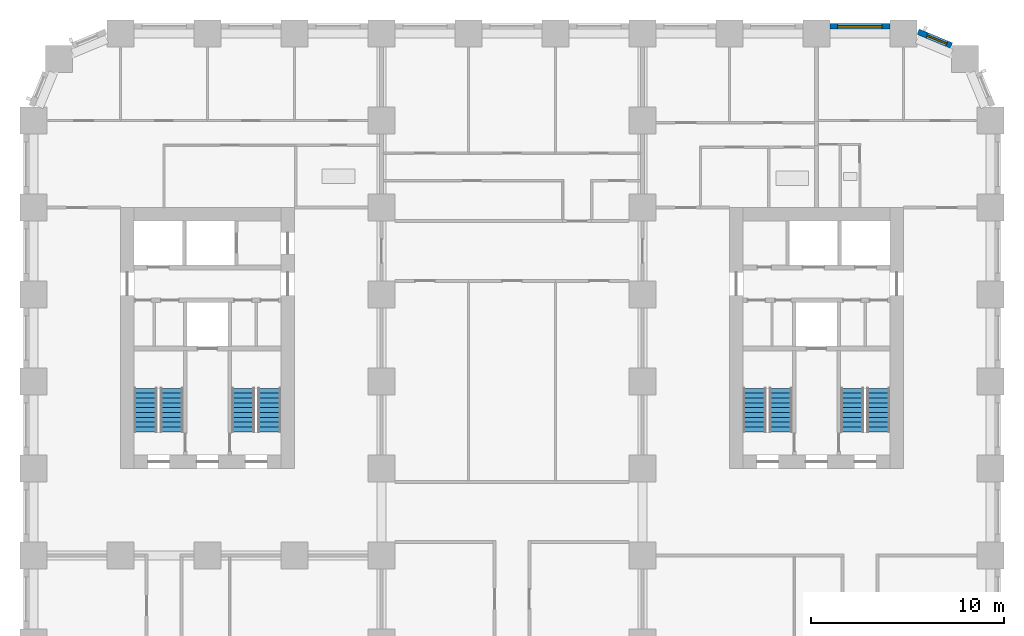
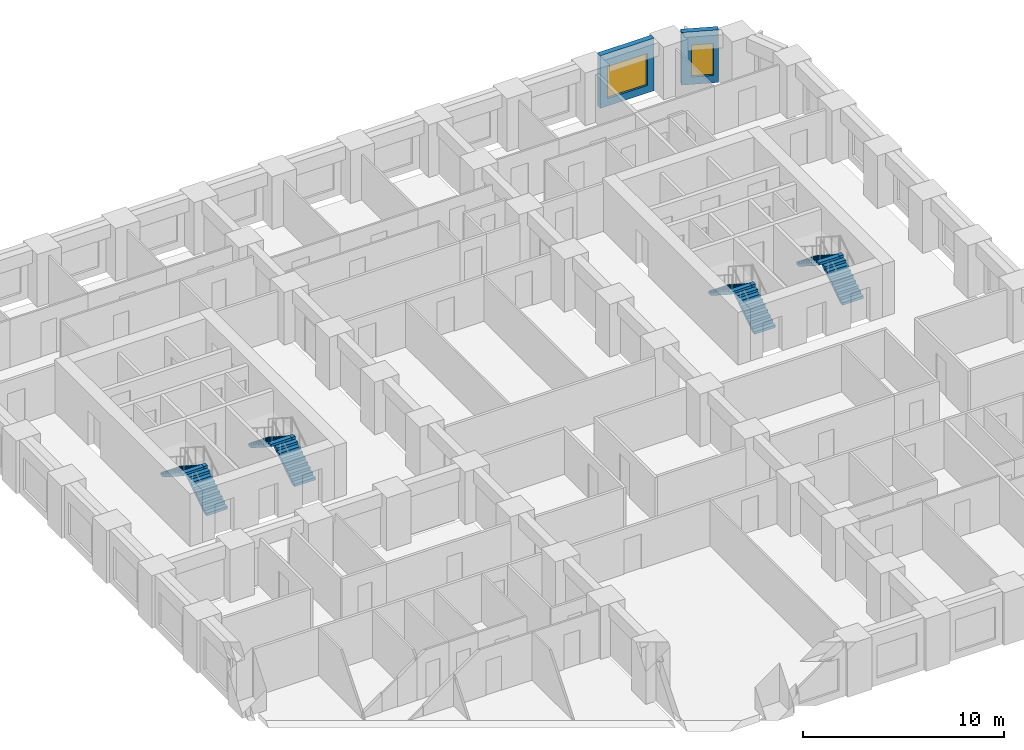
# One storey, part 10 of 13: 8 stair flights, 2 walls, 2 windows, 2 openings, 4 elements without a shape of their own.
"""IFC4 building model written with IfcOpenShell, lengths in metres."""

import ifcopenshell
import ifcopenshell.guid

model = None  # the IFC model being written
_history = None  # IfcOwnerHistory: only IFC2X3 demands one
_inside = {}  # id of a spatial element -> (the spatial element, [elements in it])
_under = {}  # id of a project, library or spatial element -> (it, [spatial elements below it])
_declared = {}  # id of a project -> (the project, [libraries it declares])
_typed = {}  # id of a type object -> (the type object, [elements of that type])
_made_of = {}  # id of a material, layer set ... -> (it, [elements and type objects made of it])


def new_model(schema):
    """Start an empty IFC model of exactly this schema.

    Asked for "IFC4X3", IfcOpenShell would pick the latest addendum, in which some entities
    have other attributes; the version numbers below select the first issue.
    IFC2X3 requires an IfcOwnerHistory on every rooted entity: one is made here for all.
    """
    global model, _history
    if schema == "IFC4X3":
        model = ifcopenshell.file(schema_version=(4, 3, 0, 0))
    else:
        model = ifcopenshell.file(schema=schema)
    _inside.clear()
    _under.clear()
    _declared.clear()
    _typed.clear()
    _made_of.clear()
    _history = None
    if model.schema == "IFC2X3":
        org = make("IfcOrganization", Name="unknown")
        user = make(
            "IfcPersonAndOrganization",
            ThePerson=make("IfcPerson", FamilyName="unknown"),
            TheOrganization=org,
        )
        app = make(
            "IfcApplication",
            ApplicationDeveloper=org,
            Version="unknown",
            ApplicationFullName="unknown",
            ApplicationIdentifier="unknown",
        )
        _history = make(
            "IfcOwnerHistory",
            OwningUser=user,
            OwningApplication=app,
            ChangeAction="ADDED",
            CreationDate=0,
        )
    return model


def make(cls, **values):
    """One entity of the class cls with the attributes given. An attribute that is None is left unset."""
    return model.create_entity(
        cls, **{name: value for name, value in values.items() if value is not None}
    )


def rooted(cls, **values):
    """An entity with a GlobalId (a new one), such as an element, a storey or a relation."""
    return make(cls, GlobalId=ifcopenshell.guid.new(), OwnerHistory=_history, **values)


def si_unit(unit_type, name, prefix=None):
    """IfcSIUnit, for example si_unit("LENGTHUNIT", "METRE", prefix="MILLI")."""
    return make("IfcSIUnit", UnitType=unit_type, Prefix=prefix, Name=name)


def assignment(units):
    """IfcUnitAssignment: the units of a project."""
    return None if units is None else make("IfcUnitAssignment", Units=units)


def point(xyz):
    """IfcCartesianPoint."""
    return None if xyz is None else make("IfcCartesianPoint", Coordinates=xyz)


def direction(xyz):
    """IfcDirection."""
    return None if xyz is None else make("IfcDirection", DirectionRatios=xyz)


def frame(location, z_axis=None, x_axis=None):
    """IfcAxis2Placement3D, a coordinate frame: its origin and axes. An axis left out is left unset."""
    return make(
        "IfcAxis2Placement3D",
        Location=point(location),
        Axis=direction(z_axis),
        RefDirection=direction(x_axis),
    )


def frame_2d(location, x_axis=None):
    """IfcAxis2Placement2D, a coordinate frame in the plane: its origin and x axis."""
    return make(
        "IfcAxis2Placement2D", Location=point(location), RefDirection=direction(x_axis)
    )


def origin():
    """The frame at (0, 0, 0) with its axes left unset."""
    return frame((0.0, 0.0, 0.0))


def place(relative_to, where):
    """IfcLocalPlacement: puts the frame where relative to a parent placement (None: the world)."""
    return make(
        "IfcLocalPlacement", PlacementRelTo=relative_to, RelativePlacement=where
    )


def context(
    kind, dimensions, precision=None, world=None, true_north=None, identifier=None
):
    """IfcGeometricRepresentationContext, for example the 3D "Model" context."""
    return make(
        "IfcGeometricRepresentationContext",
        ContextIdentifier=identifier,
        ContextType=kind,
        CoordinateSpaceDimension=dimensions,
        Precision=precision,
        WorldCoordinateSystem=world,
        TrueNorth=true_north,
    )


def subcontext(parent, identifier, kind, view, scale=None):
    """IfcGeometricRepresentationSubContext, for example "Body" below "Model"."""
    return make(
        "IfcGeometricRepresentationSubContext",
        ContextIdentifier=identifier,
        ContextType=kind,
        ParentContext=parent,
        TargetScale=scale,
        TargetView=view,
    )


def project(units=None, contexts=None):
    """IfcProject with its units and contexts."""
    return rooted(
        "IfcProject",
        Name="project",
        RepresentationContexts=contexts,
        UnitsInContext=assignment(units),
    )


def spatial(cls, under=None, at=None, **own):
    """A site, building, storey or space (cls), placed at a placement, below another one or the project."""
    s = rooted(cls, ObjectPlacement=at, **own)
    if under is not None:
        _under.setdefault(under.id(), (under, []))[1].append(s)
    return s


def polyline(points):
    """IfcPolyline through the points."""
    return make("IfcPolyline", Points=[point(p) for p in points])


def profile(cls, at=None, kind="AREA", **sizes):
    """A parametric profile (cls). Its sizes go by their IFC names, for example OverallWidth=200.0."""
    return make(cls, ProfileType=kind, Position=at, **sizes)


def rectangle(**sizes):
    """IfcRectangleProfileDef."""
    return profile("IfcRectangleProfileDef", **sizes)


def outline(outer, holes=None, kind="AREA"):
    """IfcArbitraryClosedProfileDef: a profile drawn as a closed curve; with holes, ...WithVoids."""
    if holes is None:
        return make("IfcArbitraryClosedProfileDef", ProfileType=kind, OuterCurve=outer)
    return make(
        "IfcArbitraryProfileDefWithVoids",
        ProfileType=kind,
        OuterCurve=outer,
        InnerCurves=holes,
    )


def extrude(swept, where, along, depth):
    """IfcExtrudedAreaSolid: the profile swept, set in the frame where, extruded along a direction by depth."""
    return make(
        "IfcExtrudedAreaSolid",
        SweptArea=swept,
        Position=where,
        ExtrudedDirection=direction(along),
        Depth=depth,
    )


def shape(context_of_items, identifier, shape_type, items):
    """IfcShapeRepresentation: the items that make up one representation, for example the "Body"."""
    return make(
        "IfcShapeRepresentation",
        ContextOfItems=context_of_items,
        RepresentationIdentifier=identifier,
        RepresentationType=shape_type,
        Items=items,
    )


def material(Name=None, Category=None):
    """IfcMaterial."""
    return make("IfcMaterial", Name=Name, Category=Category)


def layer(
    of_material, thickness, ventilated=None, Name=None, Category=None, Priority=None
):
    """IfcMaterialLayer: one layer of a wall or slab, of a material (None: an air gap)."""
    return make(
        "IfcMaterialLayer",
        Material=of_material,
        LayerThickness=thickness,
        IsVentilated=ventilated,
        Name=Name,
        Category=Category,
        Priority=Priority,
    )


def layer_set(layers, Name=None):
    """IfcMaterialLayerSet."""
    return make("IfcMaterialLayerSet", MaterialLayers=layers, LayerSetName=Name)


def made_of(thing, what):
    """Note that an element or type object is made of a material, layer set ...; save() writes the relation."""
    if what is not None:
        _made_of.setdefault(what.id(), (what, []))[1].append(thing)
    return thing


def type_object(cls, material=None, **own):
    """A type object (cls), such as IfcWallType, which elements share."""
    return made_of(rooted(cls, **own), material)


def element(
    cls,
    number,
    at=None,
    inside=None,
    cuts=None,
    type_object=None,
    material=None,
    context=None,
    identifier="Body",
    shape_type=None,
    held_by="IfcProductDefinitionShape",
    body=None,
    shapes=None,
    **own,
):
    """One element of the class cls, such as IfcWall. Its Tag is "e" and its number.

    at: its placement. inside: the storey or other place that contains it. cuts: it is an
    opening in that element (IfcRelVoidsElement). A single representation is given by context,
    identifier, shape_type and body (its items); several are given by shapes. held_by: the class
    of the entity that holds the representations. save() writes the other relations.
    """
    e = rooted(cls, Tag="e%d" % number, ObjectPlacement=at, **own)
    if body is not None:
        shapes = [shape(context, identifier, shape_type, body)]
    if shapes is not None:
        e.Representation = make(held_by, Representations=shapes)
    if inside is not None:
        _inside.setdefault(inside.id(), (inside, []))[1].append(e)
    if cuts is not None:
        rooted(
            "IfcRelVoidsElement", RelatingBuildingElement=cuts, RelatedOpeningElement=e
        )
    if type_object is not None:
        _typed.setdefault(type_object.id(), (type_object, []))[1].append(e)
    return made_of(e, material)


def fill(opening, filler):
    """IfcRelFillsElement: the door or window that sits in an opening."""
    return rooted(
        "IfcRelFillsElement",
        RelatingOpeningElement=opening,
        RelatedBuildingElement=filler,
    )


def aggregate(whole, parts):
    """IfcRelAggregates: a whole, such as a stair, and the parts it consists of."""
    return rooted("IfcRelAggregates", RelatingObject=whole, RelatedObjects=parts)


def save(model, path):
    """Write the relations noted so far, then the file.

    IfcRelAggregates (storeys below a building ...), IfcRelContainedInSpatialStructure (elements
    in a storey), IfcRelDefinesByType, IfcRelAssociatesMaterial and IfcRelDeclares: one each for
    every whole, place, type object, material and project.
    """
    for whole, parts in _under.values():
        aggregate(whole, parts)
    for where, things in _inside.values():
        rooted(
            "IfcRelContainedInSpatialStructure",
            RelatedElements=things,
            RelatingStructure=where,
        )
    for kind, things in _typed.values():
        rooted("IfcRelDefinesByType", RelatedObjects=things, RelatingType=kind)
    for what, things in _made_of.values():
        rooted("IfcRelAssociatesMaterial", RelatedObjects=things, RelatingMaterial=what)
    for by, libraries in _declared.values():
        rooted("IfcRelDeclares", RelatingContext=by, RelatedDefinitions=libraries)
    model.write(path)


model = new_model("IFC4")

# Units and contexts
model_context = context("Model", 3, precision=1e-05, world=origin(), true_north=direction((0.0, 1.0)))
body_context = subcontext(model_context, "Body", "Model", "MODEL_VIEW")
ifc_project = project(units=[si_unit("LENGTHUNIT", "METRE"), si_unit("AREAUNIT", "SQUARE_METRE"), si_unit("VOLUMEUNIT", "CUBIC_METRE"), si_unit("PLANEANGLEUNIT", "RADIAN"), si_unit("MASSUNIT", "GRAM", prefix="KILO")], contexts=[model_context])

# Site, building, storey
site_placement = place(None, origin())
site = spatial("IfcSite", under=ifc_project, at=site_placement, CompositionType="ELEMENT")
building_placement = place(site_placement, origin())
building = spatial("IfcBuilding", under=site, at=building_placement, Name="Girih Gate Residences", CompositionType="ELEMENT")
storey_placement = place(building_placement, frame((0.0, 0.0, 40.0)))
storey = spatial("IfcBuildingStorey", under=building, at=storey_placement, Name="L09", CompositionType="ELEMENT", Elevation=40.0)

# Wall, opening, window
ifc_material_1 = material(Name="Precast concrete C50/60", Category="concrete")
ifc_layer_1 = layer(ifc_material_1, 0.080078125, Name="Outer leaf")
ifc_material_2 = material(Name="Rigid PIR insulation")
ifc_layer_2 = layer(ifc_material_2, 0.14990234375, Name="Insulation")
ifc_material_3 = material(Name="Precast concrete C40/50", Category="concrete")
ifc_layer_3 = layer(ifc_material_3, 0.070068359375, Name="Inner leaf")
ifc_layer_set = layer_set([ifc_layer_1, ifc_layer_2, ifc_layer_3], Name="Precast concrete C50/60 external wall 300")
wall_type = type_object("IfcWallType", Name="Precast concrete C50/60 external wall 300", PredefinedType="SOLIDWALL", material=ifc_layer_set)
wall_1_placement = place(storey_placement, frame((45.75732421875, 49.59228515625, 0.0), z_axis=(0.0, 0.0, 1.0), x_axis=(0.923857286003, -0.382737135771, 0.0)))
wall_1 = element("IfcWall", 1, at=wall_1_placement, inside=storey, type_object=wall_type, Name="External wall NE0482_0482.0", PredefinedType="SOLIDWALL", context=body_context, shape_type="SweptSolid", body=[
    extrude(rectangle(XDim=1.865234375, YDim=0.300048828125, at=frame_2d((0.9326171875, 0.0))), origin(), (0.0, 0.0, 1.0), 3.199951171875),
])
opening_1_placement = place(wall_1_placement, frame((0.507568359375, 0.0, 0.449951171875)))
opening_1 = element("IfcOpeningElement", 2, at=opening_1_placement, cuts=wall_1, Name="Opening W-2C", PredefinedType="OPENING", context=body_context, shape_type="SweptSolid", body=[
    extrude(rectangle(XDim=1.10009765625, YDim=1.949951171875, at=frame_2d((0.550048828125, 0.97509765625))), frame((0.0, 0.159912109375, 0.0), z_axis=(0.0, -1.0, 0.0), x_axis=(1.0, 0.0, 0.0)), (0.0, 0.0, 1.0), 0.320068359375),
])
ifc_material_4 = material(Name="Double glazing in aluminium frame", Category="aluminium")
window_type_1 = type_object("IfcWindowType", Name="Window W-2C 1100x1950", PartitioningType="SINGLE_PANEL", PredefinedType="WINDOW", material=ifc_material_4)
window_1_placement = place(opening_1_placement, origin())
window_1 = element("IfcWindow", 3, at=window_1_placement, inside=storey, type_object=window_type_1, Name="Window W-2C NE0482_0482.0", OverallHeight=1.949951171875, OverallWidth=1.10009765625, PartitioningType="SINGLE_PANEL", PredefinedType="WINDOW", context=body_context, shape_type="SweptSolid", body=[
    extrude(rectangle(XDim=1.10009765625, YDim=1.949951171875, at=frame_2d((0.550048828125, 0.97509765625))), frame((0.0, 0.030029296875, 0.0), z_axis=(0.0, -1.0, 0.0), x_axis=(1.0, 0.0, 0.0)), (0.0, 0.0, 1.0), 0.06005859375),
])
fill(opening_1, window_1)

wall_2_placement = place(storey_placement, frame((41.199951171875, 49.875, 0.0), z_axis=(0.0, 0.0, 1.0), x_axis=(1.0, 0.0, 0.0)))
wall_2 = element("IfcWall", 4, at=wall_2_placement, inside=storey, type_object=wall_type, Name="External wall N0450_0495.0", PredefinedType="SOLIDWALL", context=body_context, shape_type="SweptSolid", body=[
    extrude(rectangle(XDim=3.10009765625, YDim=0.300048828125, at=frame_2d((1.550048828125, 0.0))), origin(), (0.0, 0.0, 1.0), 3.199951171875),
])
opening_2_placement = place(wall_2_placement, frame((0.39990234375, 0.0, 0.449951171875)))
opening_2 = element("IfcOpeningElement", 5, at=opening_2_placement, cuts=wall_2, Name="Opening W-1", PredefinedType="OPENING", context=body_context, shape_type="SweptSolid", body=[
    extrude(rectangle(XDim=2.300048828125, YDim=1.949951171875, at=frame_2d((1.14990234375, 0.97509765625))), frame((0.0, 0.159912109375, 0.0), z_axis=(0.0, -1.0, 0.0), x_axis=(1.0, 0.0, 0.0)), (0.0, 0.0, 1.0), 0.320068359375),
])
window_type_2 = type_object("IfcWindowType", Name="Window W-1 2300x1950", PartitioningType="SINGLE_PANEL", PredefinedType="WINDOW", material=ifc_material_4)
window_2_placement = place(opening_2_placement, origin())
window_2 = element("IfcWindow", 6, at=window_2_placement, inside=storey, type_object=window_type_2, Name="Window W-1 N0450_0495.0", OverallHeight=1.949951171875, OverallWidth=2.300048828125, PartitioningType="SINGLE_PANEL", PredefinedType="WINDOW", context=body_context, shape_type="SweptSolid", body=[
    extrude(rectangle(XDim=2.300048828125, YDim=1.949951171875, at=frame_2d((1.14990234375, 0.97509765625))), frame((0.0, 0.030029296875, 0.0), z_axis=(0.0, -1.0, 0.0), x_axis=(1.0, 0.0, 0.0)), (0.0, 0.0, 1.0), 0.06005859375),
])
fill(opening_2, window_2)

# Stair, stair flights
ifc_material_5 = material(Name="Concrete C40/50", Category="concrete")
stair_type = type_object("IfcStairType", Name="Exit stair", PredefinedType="HALF_TURN_STAIR", material=ifc_material_5)
stair_1_placement = place(storey_placement, origin())
stair_1 = element("IfcStair", 7, at=stair_1_placement, inside=storey, type_object=stair_type, Name="L09 Exit Stair ST-W1", PredefinedType="HALF_TURN_STAIR")
stair_flight_type = type_object("IfcStairFlightType", Name="Stair flight 1200", PredefinedType="STRAIGHT", material=ifc_material_5)
stair_flight_1_placement = place(storey_placement, frame((7.14990234375, 28.89990234375, 0.0), z_axis=(0.0, 0.0, 1.0), x_axis=(0.0, 1.0, 0.0)))
stair_flight_1 = element("IfcStairFlight", 8, at=stair_flight_1_placement, type_object=stair_flight_type, Name="ST-W1 flight 1", NumberOfRisers=10, NumberOfTreads=9, PredefinedType="STRAIGHT", RiserHeight=0.16, TreadLength=0.25, context=body_context, shape_type="SweptSolid", body=[
    extrude(outline(polyline([(0.0, 0.0), (0.0, 0.159912109375), (0.25, 0.159912109375), (0.25, 0.320068359375), (0.5, 0.320068359375), (0.5, 0.47998046875), (0.75, 0.47998046875), (0.75, 0.639892578125), (1.0, 0.639892578125), (1.0, 0.800048828125), (1.25, 0.800048828125), (1.25, 0.9599609375), (1.5, 0.9599609375), (1.5, 1.1201171875), (1.75, 1.1201171875), (1.75, 1.280029296875), (2.0, 1.280029296875), (2.0, 1.43994140625), (2.25, 1.43994140625), (2.25, 1.60009765625), (2.25, 1.29736328125), (0.222900390625, 0.0), (0.0, 0.0)])), frame((0.0, 0.60009765625, 0.0), z_axis=(0.0, -1.0, 0.0), x_axis=(1.0, 0.0, 0.0)), (0.0, 0.0, 1.0), 1.199951171875),
])
stair_flight_2_placement = place(storey_placement, frame((5.800048828125, 31.14990234375, 1.60009765625), z_axis=(0.0, 0.0, 1.0), x_axis=(0.0, -1.0, 0.0)))
stair_flight_2 = element("IfcStairFlight", 9, at=stair_flight_2_placement, type_object=stair_flight_type, Name="ST-W1 flight 2", NumberOfRisers=10, NumberOfTreads=9, PredefinedType="STRAIGHT", RiserHeight=0.16, TreadLength=0.25, context=body_context, shape_type="SweptSolid", body=[
    extrude(outline(polyline([(0.0, 0.0), (0.0, 0.159912109375), (0.25, 0.159912109375), (0.25, 0.320068359375), (0.5, 0.320068359375), (0.5, 0.47998046875), (0.75, 0.47998046875), (0.75, 0.639892578125), (1.0, 0.639892578125), (1.0, 0.800048828125), (1.25, 0.800048828125), (1.25, 0.9599609375), (1.5, 0.9599609375), (1.5, 1.1201171875), (1.75, 1.1201171875), (1.75, 1.280029296875), (2.0, 1.280029296875), (2.0, 1.43994140625), (2.25, 1.43994140625), (2.25, 1.60009765625), (2.25, 1.29736328125), (0.222900390625, 0.0), (0.0, 0.0)])), frame((0.0, 0.60009765625, 0.0), z_axis=(0.0, -1.0, 0.0), x_axis=(1.0, 0.0, 0.0)), (0.0, 0.0, 1.0), 1.199951171875),
])
aggregate(stair_1, [stair_flight_1, stair_flight_2])

stair_2_placement = place(storey_placement, origin())
stair_2 = element("IfcStair", 10, at=stair_2_placement, inside=storey, type_object=stair_type, Name="L09 Exit Stair ST-W2", PredefinedType="HALF_TURN_STAIR")
stair_flight_3_placement = place(storey_placement, frame((12.199951171875, 28.89990234375, 0.0), z_axis=(0.0, 0.0, 1.0), x_axis=(0.0, 1.0, 0.0)))
stair_flight_3 = element("IfcStairFlight", 11, at=stair_flight_3_placement, type_object=stair_flight_type, Name="ST-W2 flight 1", NumberOfRisers=10, NumberOfTreads=9, PredefinedType="STRAIGHT", RiserHeight=0.16, TreadLength=0.25, context=body_context, shape_type="SweptSolid", body=[
    extrude(outline(polyline([(0.0, 0.0), (0.0, 0.159912109375), (0.25, 0.159912109375), (0.25, 0.320068359375), (0.5, 0.320068359375), (0.5, 0.47998046875), (0.75, 0.47998046875), (0.75, 0.639892578125), (1.0, 0.639892578125), (1.0, 0.800048828125), (1.25, 0.800048828125), (1.25, 0.9599609375), (1.5, 0.9599609375), (1.5, 1.1201171875), (1.75, 1.1201171875), (1.75, 1.280029296875), (2.0, 1.280029296875), (2.0, 1.43994140625), (2.25, 1.43994140625), (2.25, 1.60009765625), (2.25, 1.29736328125), (0.222900390625, 0.0), (0.0, 0.0)])), frame((0.0, 0.60009765625, 0.0), z_axis=(0.0, -1.0, 0.0), x_axis=(1.0, 0.0, 0.0)), (0.0, 0.0, 1.0), 1.199951171875),
])
stair_flight_4_placement = place(storey_placement, frame((10.85009765625, 31.14990234375, 1.60009765625), z_axis=(0.0, 0.0, 1.0), x_axis=(0.0, -1.0, 0.0)))
stair_flight_4 = element("IfcStairFlight", 12, at=stair_flight_4_placement, type_object=stair_flight_type, Name="ST-W2 flight 2", NumberOfRisers=10, NumberOfTreads=9, PredefinedType="STRAIGHT", RiserHeight=0.16, TreadLength=0.25, context=body_context, shape_type="SweptSolid", body=[
    extrude(outline(polyline([(0.0, 0.0), (0.0, 0.159912109375), (0.25, 0.159912109375), (0.25, 0.320068359375), (0.5, 0.320068359375), (0.5, 0.47998046875), (0.75, 0.47998046875), (0.75, 0.639892578125), (1.0, 0.639892578125), (1.0, 0.800048828125), (1.25, 0.800048828125), (1.25, 0.9599609375), (1.5, 0.9599609375), (1.5, 1.1201171875), (1.75, 1.1201171875), (1.75, 1.280029296875), (2.0, 1.280029296875), (2.0, 1.43994140625), (2.25, 1.43994140625), (2.25, 1.60009765625), (2.25, 1.29736328125), (0.222900390625, 0.0), (0.0, 0.0)])), frame((0.0, 0.60009765625, 0.0), z_axis=(0.0, -1.0, 0.0), x_axis=(1.0, 0.0, 0.0)), (0.0, 0.0, 1.0), 1.199951171875),
])
aggregate(stair_2, [stair_flight_3, stair_flight_4])

stair_3_placement = place(storey_placement, origin())
stair_3 = element("IfcStair", 13, at=stair_3_placement, inside=storey, type_object=stair_type, Name="L09 Exit Stair ST-E1", PredefinedType="HALF_TURN_STAIR")
stair_flight_5_placement = place(storey_placement, frame((43.699951171875, 28.89990234375, 0.0), z_axis=(0.0, 0.0, 1.0), x_axis=(0.0, 1.0, 0.0)))
stair_flight_5 = element("IfcStairFlight", 14, at=stair_flight_5_placement, type_object=stair_flight_type, Name="ST-E1 flight 1", NumberOfRisers=10, NumberOfTreads=9, PredefinedType="STRAIGHT", RiserHeight=0.16, TreadLength=0.25, context=body_context, shape_type="SweptSolid", body=[
    extrude(outline(polyline([(0.0, 0.0), (0.0, 0.159912109375), (0.25, 0.159912109375), (0.25, 0.320068359375), (0.5, 0.320068359375), (0.5, 0.47998046875), (0.75, 0.47998046875), (0.75, 0.639892578125), (1.0, 0.639892578125), (1.0, 0.800048828125), (1.25, 0.800048828125), (1.25, 0.9599609375), (1.5, 0.9599609375), (1.5, 1.1201171875), (1.75, 1.1201171875), (1.75, 1.280029296875), (2.0, 1.280029296875), (2.0, 1.43994140625), (2.25, 1.43994140625), (2.25, 1.60009765625), (2.25, 1.29736328125), (0.222900390625, 0.0), (0.0, 0.0)])), frame((0.0, 0.60009765625, 0.0), z_axis=(0.0, -1.0, 0.0), x_axis=(1.0, 0.0, 0.0)), (0.0, 0.0, 1.0), 1.199951171875),
])
stair_flight_6_placement = place(storey_placement, frame((42.35009765625, 31.14990234375, 1.60009765625), z_axis=(0.0, 0.0, 1.0), x_axis=(0.0, -1.0, 0.0)))
stair_flight_6 = element("IfcStairFlight", 15, at=stair_flight_6_placement, type_object=stair_flight_type, Name="ST-E1 flight 2", NumberOfRisers=10, NumberOfTreads=9, PredefinedType="STRAIGHT", RiserHeight=0.16, TreadLength=0.25, context=body_context, shape_type="SweptSolid", body=[
    extrude(outline(polyline([(0.0, 0.0), (0.0, 0.159912109375), (0.25, 0.159912109375), (0.25, 0.320068359375), (0.5, 0.320068359375), (0.5, 0.47998046875), (0.75, 0.47998046875), (0.75, 0.639892578125), (1.0, 0.639892578125), (1.0, 0.800048828125), (1.25, 0.800048828125), (1.25, 0.9599609375), (1.5, 0.9599609375), (1.5, 1.1201171875), (1.75, 1.1201171875), (1.75, 1.280029296875), (2.0, 1.280029296875), (2.0, 1.43994140625), (2.25, 1.43994140625), (2.25, 1.60009765625), (2.25, 1.29736328125), (0.222900390625, 0.0), (0.0, 0.0)])), frame((0.0, 0.60009765625, 0.0), z_axis=(0.0, -1.0, 0.0), x_axis=(1.0, 0.0, 0.0)), (0.0, 0.0, 1.0), 1.199951171875),
])
aggregate(stair_3, [stair_flight_5, stair_flight_6])

stair_4_placement = place(storey_placement, origin())
stair_4 = element("IfcStair", 16, at=stair_4_placement, inside=storey, type_object=stair_type, Name="L09 Exit Stair ST-E2", PredefinedType="HALF_TURN_STAIR")
stair_flight_7_placement = place(storey_placement, frame((38.64990234375, 28.89990234375, 0.0), z_axis=(0.0, 0.0, 1.0), x_axis=(0.0, 1.0, 0.0)))
stair_flight_7 = element("IfcStairFlight", 17, at=stair_flight_7_placement, type_object=stair_flight_type, Name="ST-E2 flight 1", NumberOfRisers=10, NumberOfTreads=9, PredefinedType="STRAIGHT", RiserHeight=0.16, TreadLength=0.25, context=body_context, shape_type="SweptSolid", body=[
    extrude(outline(polyline([(0.0, 0.0), (0.0, 0.159912109375), (0.25, 0.159912109375), (0.25, 0.320068359375), (0.5, 0.320068359375), (0.5, 0.47998046875), (0.75, 0.47998046875), (0.75, 0.639892578125), (1.0, 0.639892578125), (1.0, 0.800048828125), (1.25, 0.800048828125), (1.25, 0.9599609375), (1.5, 0.9599609375), (1.5, 1.1201171875), (1.75, 1.1201171875), (1.75, 1.280029296875), (2.0, 1.280029296875), (2.0, 1.43994140625), (2.25, 1.43994140625), (2.25, 1.60009765625), (2.25, 1.29736328125), (0.222900390625, 0.0), (0.0, 0.0)])), frame((0.0, 0.60009765625, 0.0), z_axis=(0.0, -1.0, 0.0), x_axis=(1.0, 0.0, 0.0)), (0.0, 0.0, 1.0), 1.199951171875),
])
stair_flight_8_placement = place(storey_placement, frame((37.300048828125, 31.14990234375, 1.60009765625), z_axis=(0.0, 0.0, 1.0), x_axis=(0.0, -1.0, 0.0)))
stair_flight_8 = element("IfcStairFlight", 18, at=stair_flight_8_placement, type_object=stair_flight_type, Name="ST-E2 flight 2", NumberOfRisers=10, NumberOfTreads=9, PredefinedType="STRAIGHT", RiserHeight=0.16, TreadLength=0.25, context=body_context, shape_type="SweptSolid", body=[
    extrude(outline(polyline([(0.0, 0.0), (0.0, 0.159912109375), (0.25, 0.159912109375), (0.25, 0.320068359375), (0.5, 0.320068359375), (0.5, 0.47998046875), (0.75, 0.47998046875), (0.75, 0.639892578125), (1.0, 0.639892578125), (1.0, 0.800048828125), (1.25, 0.800048828125), (1.25, 0.9599609375), (1.5, 0.9599609375), (1.5, 1.1201171875), (1.75, 1.1201171875), (1.75, 1.280029296875), (2.0, 1.280029296875), (2.0, 1.43994140625), (2.25, 1.43994140625), (2.25, 1.60009765625), (2.25, 1.29736328125), (0.222900390625, 0.0), (0.0, 0.0)])), frame((0.0, 0.60009765625, 0.0), z_axis=(0.0, -1.0, 0.0), x_axis=(1.0, 0.0, 0.0)), (0.0, 0.0, 1.0), 1.199951171875),
])
aggregate(stair_4, [stair_flight_7, stair_flight_8])

save(model, "model.ifc")
